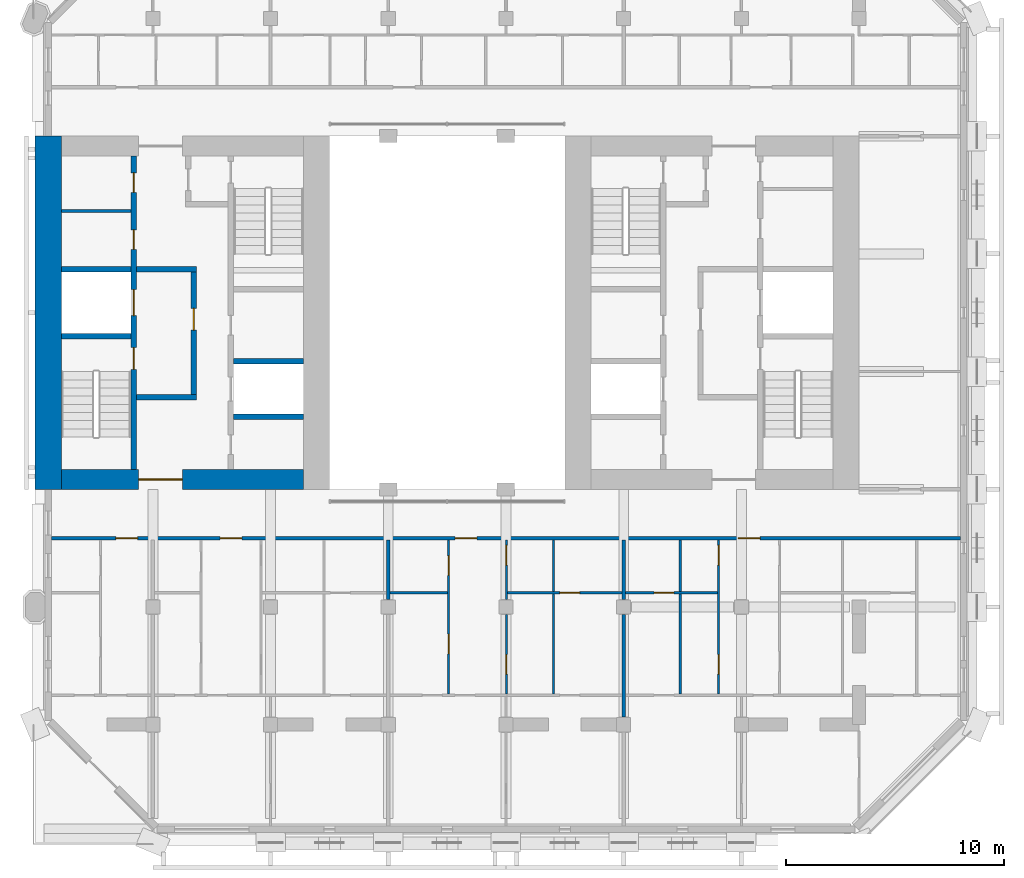
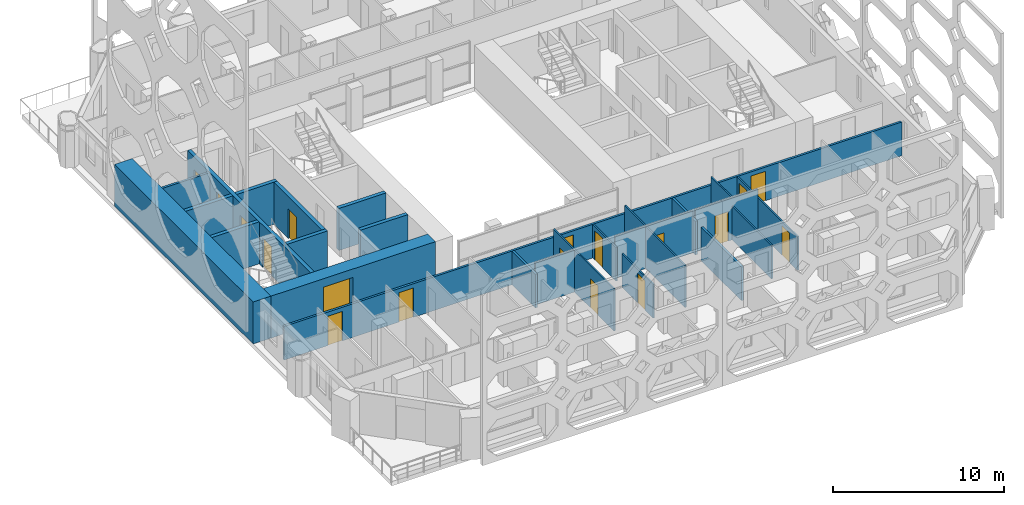
# One storey, part 7 of 15: 26 walls, 18 doors, 18 openings.
"""IFC4 building model written with IfcOpenShell, lengths in metres."""

import ifcopenshell
import ifcopenshell.guid

model = None  # the IFC model being written
_history = None  # IfcOwnerHistory: only IFC2X3 demands one
_inside = {}  # id of a spatial element -> (the spatial element, [elements in it])
_under = {}  # id of a project, library or spatial element -> (it, [spatial elements below it])
_declared = {}  # id of a project -> (the project, [libraries it declares])
_typed = {}  # id of a type object -> (the type object, [elements of that type])
_made_of = {}  # id of a material, layer set ... -> (it, [elements and type objects made of it])


def new_model(schema):
    """Start an empty IFC model of exactly this schema.

    Asked for "IFC4X3", IfcOpenShell would pick the latest addendum, in which some entities
    have other attributes; the version numbers below select the first issue.
    IFC2X3 requires an IfcOwnerHistory on every rooted entity: one is made here for all.
    """
    global model, _history
    if schema == "IFC4X3":
        model = ifcopenshell.file(schema_version=(4, 3, 0, 0))
    else:
        model = ifcopenshell.file(schema=schema)
    _inside.clear()
    _under.clear()
    _declared.clear()
    _typed.clear()
    _made_of.clear()
    _history = None
    if model.schema == "IFC2X3":
        org = make("IfcOrganization", Name="unknown")
        user = make(
            "IfcPersonAndOrganization",
            ThePerson=make("IfcPerson", FamilyName="unknown"),
            TheOrganization=org,
        )
        app = make(
            "IfcApplication",
            ApplicationDeveloper=org,
            Version="unknown",
            ApplicationFullName="unknown",
            ApplicationIdentifier="unknown",
        )
        _history = make(
            "IfcOwnerHistory",
            OwningUser=user,
            OwningApplication=app,
            ChangeAction="ADDED",
            CreationDate=0,
        )
    return model


def make(cls, **values):
    """One entity of the class cls with the attributes given. An attribute that is None is left unset."""
    return model.create_entity(
        cls, **{name: value for name, value in values.items() if value is not None}
    )


def rooted(cls, **values):
    """An entity with a GlobalId (a new one), such as an element, a storey or a relation."""
    return make(cls, GlobalId=ifcopenshell.guid.new(), OwnerHistory=_history, **values)


def si_unit(unit_type, name, prefix=None):
    """IfcSIUnit, for example si_unit("LENGTHUNIT", "METRE", prefix="MILLI")."""
    return make("IfcSIUnit", UnitType=unit_type, Prefix=prefix, Name=name)


def assignment(units):
    """IfcUnitAssignment: the units of a project."""
    return None if units is None else make("IfcUnitAssignment", Units=units)


def point(xyz):
    """IfcCartesianPoint."""
    return None if xyz is None else make("IfcCartesianPoint", Coordinates=xyz)


def direction(xyz):
    """IfcDirection."""
    return None if xyz is None else make("IfcDirection", DirectionRatios=xyz)


def frame(location, z_axis=None, x_axis=None):
    """IfcAxis2Placement3D, a coordinate frame: its origin and axes. An axis left out is left unset."""
    return make(
        "IfcAxis2Placement3D",
        Location=point(location),
        Axis=direction(z_axis),
        RefDirection=direction(x_axis),
    )


def frame_2d(location, x_axis=None):
    """IfcAxis2Placement2D, a coordinate frame in the plane: its origin and x axis."""
    return make(
        "IfcAxis2Placement2D", Location=point(location), RefDirection=direction(x_axis)
    )


def origin():
    """The frame at (0, 0, 0) with its axes left unset."""
    return frame((0.0, 0.0, 0.0))


def place(relative_to, where):
    """IfcLocalPlacement: puts the frame where relative to a parent placement (None: the world)."""
    return make(
        "IfcLocalPlacement", PlacementRelTo=relative_to, RelativePlacement=where
    )


def context(
    kind, dimensions, precision=None, world=None, true_north=None, identifier=None
):
    """IfcGeometricRepresentationContext, for example the 3D "Model" context."""
    return make(
        "IfcGeometricRepresentationContext",
        ContextIdentifier=identifier,
        ContextType=kind,
        CoordinateSpaceDimension=dimensions,
        Precision=precision,
        WorldCoordinateSystem=world,
        TrueNorth=true_north,
    )


def subcontext(parent, identifier, kind, view, scale=None):
    """IfcGeometricRepresentationSubContext, for example "Body" below "Model"."""
    return make(
        "IfcGeometricRepresentationSubContext",
        ContextIdentifier=identifier,
        ContextType=kind,
        ParentContext=parent,
        TargetScale=scale,
        TargetView=view,
    )


def project(units=None, contexts=None):
    """IfcProject with its units and contexts."""
    return rooted(
        "IfcProject",
        Name="project",
        RepresentationContexts=contexts,
        UnitsInContext=assignment(units),
    )


def spatial(cls, under=None, at=None, **own):
    """A site, building, storey or space (cls), placed at a placement, below another one or the project."""
    s = rooted(cls, ObjectPlacement=at, **own)
    if under is not None:
        _under.setdefault(under.id(), (under, []))[1].append(s)
    return s


def profile(cls, at=None, kind="AREA", **sizes):
    """A parametric profile (cls). Its sizes go by their IFC names, for example OverallWidth=200.0."""
    return make(cls, ProfileType=kind, Position=at, **sizes)


def rectangle(**sizes):
    """IfcRectangleProfileDef."""
    return profile("IfcRectangleProfileDef", **sizes)


def extrude(swept, where, along, depth):
    """IfcExtrudedAreaSolid: the profile swept, set in the frame where, extruded along a direction by depth."""
    return make(
        "IfcExtrudedAreaSolid",
        SweptArea=swept,
        Position=where,
        ExtrudedDirection=direction(along),
        Depth=depth,
    )


def shape(context_of_items, identifier, shape_type, items):
    """IfcShapeRepresentation: the items that make up one representation, for example the "Body"."""
    return make(
        "IfcShapeRepresentation",
        ContextOfItems=context_of_items,
        RepresentationIdentifier=identifier,
        RepresentationType=shape_type,
        Items=items,
    )


def material(Name=None, Category=None):
    """IfcMaterial."""
    return make("IfcMaterial", Name=Name, Category=Category)


def layer(
    of_material, thickness, ventilated=None, Name=None, Category=None, Priority=None
):
    """IfcMaterialLayer: one layer of a wall or slab, of a material (None: an air gap)."""
    return make(
        "IfcMaterialLayer",
        Material=of_material,
        LayerThickness=thickness,
        IsVentilated=ventilated,
        Name=Name,
        Category=Category,
        Priority=Priority,
    )


def layer_set(layers, Name=None):
    """IfcMaterialLayerSet."""
    return make("IfcMaterialLayerSet", MaterialLayers=layers, LayerSetName=Name)


def made_of(thing, what):
    """Note that an element or type object is made of a material, layer set ...; save() writes the relation."""
    if what is not None:
        _made_of.setdefault(what.id(), (what, []))[1].append(thing)
    return thing


def type_object(cls, material=None, **own):
    """A type object (cls), such as IfcWallType, which elements share."""
    return made_of(rooted(cls, **own), material)


def element(
    cls,
    number,
    at=None,
    inside=None,
    cuts=None,
    type_object=None,
    material=None,
    context=None,
    identifier="Body",
    shape_type=None,
    held_by="IfcProductDefinitionShape",
    body=None,
    shapes=None,
    **own,
):
    """One element of the class cls, such as IfcWall. Its Tag is "e" and its number.

    at: its placement. inside: the storey or other place that contains it. cuts: it is an
    opening in that element (IfcRelVoidsElement). A single representation is given by context,
    identifier, shape_type and body (its items); several are given by shapes. held_by: the class
    of the entity that holds the representations. save() writes the other relations.
    """
    e = rooted(cls, Tag="e%d" % number, ObjectPlacement=at, **own)
    if body is not None:
        shapes = [shape(context, identifier, shape_type, body)]
    if shapes is not None:
        e.Representation = make(held_by, Representations=shapes)
    if inside is not None:
        _inside.setdefault(inside.id(), (inside, []))[1].append(e)
    if cuts is not None:
        rooted(
            "IfcRelVoidsElement", RelatingBuildingElement=cuts, RelatedOpeningElement=e
        )
    if type_object is not None:
        _typed.setdefault(type_object.id(), (type_object, []))[1].append(e)
    return made_of(e, material)


def fill(opening, filler):
    """IfcRelFillsElement: the door or window that sits in an opening."""
    return rooted(
        "IfcRelFillsElement",
        RelatingOpeningElement=opening,
        RelatedBuildingElement=filler,
    )


def aggregate(whole, parts):
    """IfcRelAggregates: a whole, such as a stair, and the parts it consists of."""
    return rooted("IfcRelAggregates", RelatingObject=whole, RelatedObjects=parts)


def save(model, path):
    """Write the relations noted so far, then the file.

    IfcRelAggregates (storeys below a building ...), IfcRelContainedInSpatialStructure (elements
    in a storey), IfcRelDefinesByType, IfcRelAssociatesMaterial and IfcRelDeclares: one each for
    every whole, place, type object, material and project.
    """
    for whole, parts in _under.values():
        aggregate(whole, parts)
    for where, things in _inside.values():
        rooted(
            "IfcRelContainedInSpatialStructure",
            RelatedElements=things,
            RelatingStructure=where,
        )
    for kind, things in _typed.values():
        rooted("IfcRelDefinesByType", RelatedObjects=things, RelatingType=kind)
    for what, things in _made_of.values():
        rooted("IfcRelAssociatesMaterial", RelatedObjects=things, RelatingMaterial=what)
    for by, libraries in _declared.values():
        rooted("IfcRelDeclares", RelatingContext=by, RelatedDefinitions=libraries)
    model.write(path)


model = new_model("IFC4")

# Units and contexts
model_context = context("Model", 3, precision=1e-05, world=origin(), true_north=direction((0.0, 1.0)))
body_context = subcontext(model_context, "Body", "Model", "MODEL_VIEW")
ifc_project = project(units=[si_unit("LENGTHUNIT", "METRE"), si_unit("AREAUNIT", "SQUARE_METRE"), si_unit("VOLUMEUNIT", "CUBIC_METRE"), si_unit("PLANEANGLEUNIT", "RADIAN"), si_unit("MASSUNIT", "GRAM", prefix="KILO")], contexts=[model_context])

# Site, building, storey
site_placement = place(None, origin())
site = spatial("IfcSite", under=ifc_project, at=site_placement, CompositionType="ELEMENT")
building_placement = place(site_placement, origin())
building = spatial("IfcBuilding", under=site, at=building_placement, Name="Tabaq Tower and Sports Hall", CompositionType="ELEMENT")
storey_placement = place(building_placement, frame((0.0, 0.0, 265.300048828125)))
storey = spatial("IfcBuildingStorey", under=building, at=storey_placement, Name="L64", CompositionType="ELEMENT", Elevation=265.300048828125)

# Walls
ifc_material_1 = material(Name="Blockwork", Category="masonry")
ifc_layer_1 = layer(ifc_material_1, 0.14990234375)
ifc_layer_set_1 = layer_set([ifc_layer_1], Name="Core room partition 150 Blockwork")
wall_type_1 = type_object("IfcWallType", Name="Core room partition 150 Blockwork", PredefinedType="PARTITIONING", material=ifc_layer_set_1)
wall_1_placement = place(storey_placement, frame((6.60009765625, 28.962890625, 0.0), z_axis=(0.0, 0.0, 1.0), x_axis=(1.0, 0.0, 0.0)))
element("IfcWall", 1, at=wall_1_placement, inside=storey, type_object=wall_type_1, Name="Core room partition W L64", PredefinedType="PARTITIONING", context=body_context, shape_type="SweptSolid", body=[
    extrude(rectangle(XDim=3.199951171875, YDim=0.14990234375, at=frame_2d((1.60009765625, 0.0))), origin(), (0.0, 0.0, 1.0), 3.0),
])
ifc_material_2 = material(Name="Concrete C40/50", Category="concrete")
ifc_layer_2 = layer(ifc_material_2, 1.199951171875)
ifc_layer_set_2 = layer_set([ifc_layer_2], Name="Core wall 1200 Concrete C40/50")
wall_type_2 = type_object("IfcWallType", Name="Core wall 1200 Concrete C40/50", PredefinedType="SOLIDWALL", material=ifc_layer_set_2)
wall_2_placement = place(storey_placement, frame((6.0, 16.199951171875, 0.0), z_axis=(0.0, 0.0, 1.0), x_axis=(0.0, 1.0, 0.0)))
element("IfcWall", 2, at=wall_2_placement, inside=storey, type_object=wall_type_2, Name="Core wall W L64", PredefinedType="SOLIDWALL", context=body_context, shape_type="SweptSolid", body=[
    extrude(rectangle(XDim=16.199951171875, YDim=1.199951171875, at=frame_2d((8.10009765625, 0.0))), origin(), (0.0, 0.0, 1.0), 3.0),
])

# Wall, opening, door
ifc_material_3 = material(Name="Concrete C40/50", Category="concrete")
ifc_layer_3 = layer(ifc_material_3, 0.89990234375)
ifc_layer_set_3 = layer_set([ifc_layer_3], Name="Core wall 900 Concrete C40/50")
wall_type_3 = type_object("IfcWallType", Name="Core wall 900 Concrete C40/50", PredefinedType="SOLIDWALL", material=ifc_layer_set_3)
wall_3_placement = place(storey_placement, frame((17.699951171875, 16.64990234375, 0.0), z_axis=(0.0, 0.0, 1.0), x_axis=(-1.0, 0.0, 0.0)))
wall_3 = element("IfcWall", 3, at=wall_3_placement, inside=storey, type_object=wall_type_3, Name="Core wall W L64", PredefinedType="SOLIDWALL", context=body_context, shape_type="SweptSolid", body=[
    extrude(rectangle(XDim=11.099853515625, YDim=0.89990234375, at=frame_2d((5.5498046875, 0.0))), origin(), (0.0, 0.0, 1.0), 3.0),
])
opening_1_placement = place(wall_3_placement, frame((5.550048828125, 0.0, 0.0)))
opening_1 = element("IfcOpeningElement", 4, at=opening_1_placement, cuts=wall_3, Name="Opening PD-WL64-01", PredefinedType="OPENING", context=body_context, shape_type="SweptSolid", body=[
    extrude(rectangle(XDim=2.0, YDim=2.39990234375, at=frame_2d((1.0, 1.199951171875))), frame((0.0, 0.449951171875, 0.0), z_axis=(0.0, -1.0, 0.0), x_axis=(1.0, 0.0, 0.0)), (0.0, 0.0, 1.0), 0.89990234375),
])
ifc_material_4 = material(Name="Steel fire door", Category="steel")
door_type_1 = type_object("IfcDoorType", Name="Core entrance door 2000", OperationType="DOUBLE_DOOR_SINGLE_SWING", PredefinedType="DOOR", material=ifc_material_4)
door_1_placement = place(opening_1_placement, origin())
door_1 = element("IfcDoor", 5, at=door_1_placement, inside=storey, type_object=door_type_1, Name="Core entrance south W L64", OperationType="DOUBLE_DOOR_SINGLE_SWING", OverallHeight=2.39990234375, OverallWidth=2.0, PredefinedType="DOOR", context=body_context, shape_type="SweptSolid", body=[
    extrude(rectangle(XDim=2.0, YDim=2.39990234375, at=frame_2d((1.0, 1.199951171875))), frame((0.0, 0.02490234375, 0.0), z_axis=(0.0, -1.0, 0.0), x_axis=(1.0, 0.0, 0.0)), (0.0, 0.0, 1.0), 0.050048828125),
])
fill(opening_1, door_1)

# Wall
ifc_material_5 = material(Name="Gypsum board on steel studs", Category="steel")
ifc_layer_4 = layer(ifc_material_5, 0.10009765625)
ifc_layer_set_4 = layer_set([ifc_layer_4], Name="Partition 100 Gypsum board")
wall_type_4 = type_object("IfcWallType", Name="Partition 100 Gypsum board", PredefinedType="PARTITIONING", material=ifc_layer_set_4)
wall_4_placement = place(storey_placement, frame((24.320068359375, 11.449951171875, 0.0), z_axis=(0.0, 0.0, 1.0), x_axis=(-1.0, 0.0, 0.0)))
element("IfcWall", 6, at=wall_4_placement, inside=storey, type_object=wall_type_4, Name="Partition wall L64", PredefinedType="PARTITIONING", context=body_context, shape_type="SweptSolid", body=[
    extrude(rectangle(XDim=2.64501953125, YDim=0.10009765625, at=frame_2d((1.322509765625, 0.0))), origin(), (0.0, 0.0, 1.0), 3.0),
])

# Wall, openings, doors
wall_5_placement = place(storey_placement, frame((24.3701171875, 6.800048828125, 0.0), z_axis=(0.0, 0.0, 1.0), x_axis=(0.0, 1.0, 0.0)))
wall_5 = element("IfcWall", 7, at=wall_5_placement, inside=storey, type_object=wall_type_4, Name="Partition wall L64", PredefinedType="PARTITIONING", context=body_context, shape_type="SweptSolid", body=[
    extrude(rectangle(XDim=7.074951171875, YDim=0.10009765625, at=frame_2d((3.53759765625, 0.0))), origin(), (0.0, 0.0, 1.0), 3.0),
])
opening_2_placement = place(wall_5_placement, frame((5.449951171875, 0.0, 0.0)))
opening_2 = element("IfcOpeningElement", 8, at=opening_2_placement, cuts=wall_5, Name="Opening L64-019", PredefinedType="OPENING", context=body_context, shape_type="SweptSolid", body=[
    extrude(rectangle(XDim=0.89990234375, YDim=2.10009765625, at=frame_2d((0.449951171875, 1.050048828125))), frame((0.0, 0.050048828125, 0.0), z_axis=(0.0, -1.0, 0.0), x_axis=(1.0, 0.0, 0.0)), (0.0, 0.0, 1.0), 0.10009765625),
])
opening_3_placement = place(wall_5_placement, frame((1.85009765625, 0.0, 0.0)))
opening_3 = element("IfcOpeningElement", 9, at=opening_3_placement, cuts=wall_5, Name="Opening L64-044", PredefinedType="OPENING", context=body_context, shape_type="SweptSolid", body=[
    extrude(rectangle(XDim=0.89990234375, YDim=2.10009765625, at=frame_2d((0.449951171875, 1.050048828125))), frame((0.0, 0.050048828125, 0.0), z_axis=(0.0, -1.0, 0.0), x_axis=(1.0, 0.0, 0.0)), (0.0, 0.0, 1.0), 0.10009765625),
])
ifc_material_6 = material(Name="Timber leaf in steel frame", Category="steel")
door_type_2 = type_object("IfcDoorType", Name="Internal door 900 left hand", OperationType="SINGLE_SWING_LEFT", PredefinedType="DOOR", material=ifc_material_6)
door_2_placement = place(opening_3_placement, origin())
door_2 = element("IfcDoor", 10, at=door_2_placement, inside=storey, type_object=door_type_2, Name="Internal door L64-044", OperationType="SINGLE_SWING_LEFT", OverallHeight=2.10009765625, OverallWidth=0.89990234375, PredefinedType="DOOR", context=body_context, shape_type="SweptSolid", body=[
    extrude(rectangle(XDim=0.89990234375, YDim=2.10009765625, at=frame_2d((0.449951171875, 1.050048828125))), frame((0.0, 0.02490234375, 0.0), z_axis=(0.0, -1.0, 0.0), x_axis=(1.0, 0.0, 0.0)), (0.0, 0.0, 1.0), 0.050048828125),
])
fill(opening_3, door_2)
ifc_material_7 = material(Name="Timber leaf in steel frame", Category="steel")
door_type_3 = type_object("IfcDoorType", Name="Internal door 900 right hand", OperationType="SINGLE_SWING_RIGHT", PredefinedType="DOOR", material=ifc_material_7)
door_3_placement = place(opening_2_placement, origin())
door_3 = element("IfcDoor", 11, at=door_3_placement, inside=storey, type_object=door_type_3, Name="Internal door L64-019", OperationType="SINGLE_SWING_RIGHT", OverallHeight=2.10009765625, OverallWidth=0.89990234375, PredefinedType="DOOR", context=body_context, shape_type="SweptSolid", body=[
    extrude(rectangle(XDim=0.89990234375, YDim=2.10009765625, at=frame_2d((0.449951171875, 1.050048828125))), frame((0.0, 0.02490234375, 0.0), z_axis=(0.0, -1.0, 0.0), x_axis=(1.0, 0.0, 0.0)), (0.0, 0.0, 1.0), 0.050048828125),
])
fill(opening_2, door_3)

# Wall, opening, door
wall_6_placement = place(storey_placement, frame((27.02001953125, 6.800048828125, 0.0), z_axis=(0.0, 0.0, 1.0), x_axis=(0.0, 1.0, 0.0)))
wall_6 = element("IfcWall", 12, at=wall_6_placement, inside=storey, type_object=wall_type_4, Name="Partition wall L64", PredefinedType="PARTITIONING", context=body_context, shape_type="SweptSolid", body=[
    extrude(rectangle(XDim=3.655029296875, YDim=0.10009765625, at=frame_2d((1.82763671875, 0.0))), origin(), (0.0, 0.0, 1.0), 2.39990234375),
])
opening_4_placement = place(wall_6_placement, frame((0.9169921875, 0.0, 0.0)))
opening_4 = element("IfcOpeningElement", 13, at=opening_4_placement, cuts=wall_6, Name="Opening L64-020", PredefinedType="OPENING", context=body_context, shape_type="SweptSolid", body=[
    extrude(rectangle(XDim=0.89990234375, YDim=2.10009765625, at=frame_2d((0.449951171875, 1.050048828125))), frame((0.0, 0.050048828125, 0.0), z_axis=(0.0, -1.0, 0.0), x_axis=(1.0, 0.0, 0.0)), (0.0, 0.0, 1.0), 0.10009765625),
])
door_4_placement = place(opening_4_placement, origin())
door_4 = element("IfcDoor", 14, at=door_4_placement, inside=storey, type_object=door_type_2, Name="Internal door L64-020", OperationType="SINGLE_SWING_LEFT", OverallHeight=2.10009765625, OverallWidth=0.89990234375, PredefinedType="DOOR", context=body_context, shape_type="SweptSolid", body=[
    extrude(rectangle(XDim=0.89990234375, YDim=2.10009765625, at=frame_2d((0.449951171875, 1.050048828125))), frame((0.0, 0.02490234375, 0.0), z_axis=(0.0, -1.0, 0.0), x_axis=(1.0, 0.0, 0.0)), (0.0, 0.0, 1.0), 0.050048828125),
])
fill(opening_4, door_4)

wall_7_placement = place(storey_placement, frame((27.02001953125, 11.14501953125, 0.0), z_axis=(0.0, 0.0, 1.0), x_axis=(0.0, 1.0, 0.0)))
wall_7 = element("IfcWall", 15, at=wall_7_placement, inside=storey, type_object=wall_type_4, Name="Partition wall L64", PredefinedType="PARTITIONING", context=body_context, shape_type="SweptSolid", body=[
    extrude(rectangle(XDim=2.72998046875, YDim=0.10009765625, at=frame_2d((1.364990234375, 0.0))), origin(), (0.0, 0.0, 1.0), 2.39990234375),
])
opening_5_placement = place(wall_7_placement, frame((1.580078125, 0.0, 0.0)))
opening_5 = element("IfcOpeningElement", 16, at=opening_5_placement, cuts=wall_7, Name="Opening L64-021", PredefinedType="OPENING", context=body_context, shape_type="SweptSolid", body=[
    extrude(rectangle(XDim=0.89990234375, YDim=2.10009765625, at=frame_2d((0.449951171875, 1.050048828125))), frame((0.0, 0.050048828125, 0.0), z_axis=(0.0, -1.0, 0.0), x_axis=(1.0, 0.0, 0.0)), (0.0, 0.0, 1.0), 0.10009765625),
])
door_5_placement = place(opening_5_placement, origin())
door_5 = element("IfcDoor", 17, at=door_5_placement, inside=storey, type_object=door_type_2, Name="Internal door L64-021", OperationType="SINGLE_SWING_LEFT", OverallHeight=2.10009765625, OverallWidth=0.89990234375, PredefinedType="DOOR", context=body_context, shape_type="SweptSolid", body=[
    extrude(rectangle(XDim=0.89990234375, YDim=2.10009765625, at=frame_2d((0.449951171875, 1.050048828125))), frame((0.0, 0.02490234375, 0.0), z_axis=(0.0, -1.0, 0.0), x_axis=(1.0, 0.0, 0.0)), (0.0, 0.0, 1.0), 0.050048828125),
])
fill(opening_5, door_5)

# Walls
wall_8_placement = place(storey_placement, frame((29.176025390625, 6.800048828125, 0.0), z_axis=(0.0, 0.0, 1.0), x_axis=(0.0, 1.0, 0.0)))
element("IfcWall", 18, at=wall_8_placement, inside=storey, type_object=wall_type_4, Name="Partition wall L64", PredefinedType="PARTITIONING", context=body_context, shape_type="SweptSolid", body=[
    extrude(rectangle(XDim=4.599853515625, YDim=0.10009765625, at=frame_2d((2.2998046875, 0.0))), origin(), (0.0, 0.0, 1.0), 3.0),
])
wall_9_placement = place(storey_placement, frame((29.176025390625, 11.5, 0.0), z_axis=(0.0, 0.0, 1.0), x_axis=(0.0, 1.0, 0.0)))
element("IfcWall", 19, at=wall_9_placement, inside=storey, type_object=wall_type_4, Name="Partition wall L64", PredefinedType="PARTITIONING", context=body_context, shape_type="SweptSolid", body=[
    extrude(rectangle(XDim=2.375, YDim=0.10009765625, at=frame_2d((1.1875, 0.0))), origin(), (0.0, 0.0, 1.0), 3.0),
])

# Wall, opening, door
wall_10_placement = place(storey_placement, frame((32.324951171875, 11.449951171875, 0.0), z_axis=(0.0, 0.0, 1.0), x_axis=(-1.0, 0.0, 0.0)))
wall_10 = element("IfcWall", 20, at=wall_10_placement, inside=storey, type_object=wall_type_4, Name="Partition wall L64", PredefinedType="PARTITIONING", context=body_context, shape_type="SweptSolid", body=[
    extrude(rectangle(XDim=5.2548828125, YDim=0.10009765625, at=frame_2d((2.62744140625, 0.0))), origin(), (0.0, 0.0, 1.0), 3.0),
])
opening_6_placement = place(wall_10_placement, frame((1.948974609375, 0.0, 0.0)))
opening_6 = element("IfcOpeningElement", 21, at=opening_6_placement, cuts=wall_10, Name="Opening L64-022", PredefinedType="OPENING", context=body_context, shape_type="SweptSolid", body=[
    extrude(rectangle(XDim=0.89990234375, YDim=2.10009765625, at=frame_2d((0.449951171875, 1.050048828125))), frame((0.0, 0.050048828125, 0.0), z_axis=(0.0, -1.0, 0.0), x_axis=(1.0, 0.0, 0.0)), (0.0, 0.0, 1.0), 0.10009765625),
])
door_6_placement = place(opening_6_placement, origin())
door_6 = element("IfcDoor", 22, at=door_6_placement, inside=storey, type_object=door_type_2, Name="Internal door L64-022", OperationType="SINGLE_SWING_LEFT", OverallHeight=2.10009765625, OverallWidth=0.89990234375, PredefinedType="DOOR", context=body_context, shape_type="SweptSolid", body=[
    extrude(rectangle(XDim=0.89990234375, YDim=2.10009765625, at=frame_2d((0.449951171875, 1.050048828125))), frame((0.0, 0.02490234375, 0.0), z_axis=(0.0, -1.0, 0.0), x_axis=(1.0, 0.0, 0.0)), (0.0, 0.0, 1.0), 0.050048828125),
])
fill(opening_6, door_6)

# Walls
wall_11_placement = place(storey_placement, frame((35.0, 6.800048828125, 0.0), z_axis=(0.0, 0.0, 1.0), x_axis=(0.0, 1.0, 0.0)))
element("IfcWall", 23, at=wall_11_placement, inside=storey, type_object=wall_type_4, Name="Partition wall L64", PredefinedType="PARTITIONING", context=body_context, shape_type="SweptSolid", body=[
    extrude(rectangle(XDim=4.599853515625, YDim=0.10009765625, at=frame_2d((2.2998046875, 0.0))), origin(), (0.0, 0.0, 1.0), 2.39990234375),
])
wall_12_placement = place(storey_placement, frame((35.0, 11.5, 0.0), z_axis=(0.0, 0.0, 1.0), x_axis=(0.0, 1.0, 0.0)))
element("IfcWall", 24, at=wall_12_placement, inside=storey, type_object=wall_type_4, Name="Partition wall L64", PredefinedType="PARTITIONING", context=body_context, shape_type="SweptSolid", body=[
    extrude(rectangle(XDim=2.375, YDim=0.10009765625, at=frame_2d((1.1875, 0.0))), origin(), (0.0, 0.0, 1.0), 3.0),
])

# Wall, opening, door
wall_13_placement = place(storey_placement, frame((36.7060546875, 11.449951171875, 0.0), z_axis=(0.0, 0.0, 1.0), x_axis=(-1.0, 0.0, 0.0)))
wall_13 = element("IfcWall", 25, at=wall_13_placement, inside=storey, type_object=wall_type_4, Name="Partition wall L64", PredefinedType="PARTITIONING", context=body_context, shape_type="SweptSolid", body=[
    extrude(rectangle(XDim=4.23095703125, YDim=0.10009765625, at=frame_2d((2.115478515625, 0.0))), origin(), (0.0, 0.0, 1.0), 3.0),
])
opening_7_placement = place(wall_13_placement, frame((2.006103515625, 0.0, 0.0)))
opening_7 = element("IfcOpeningElement", 26, at=opening_7_placement, cuts=wall_13, Name="Opening L64-024", PredefinedType="OPENING", context=body_context, shape_type="SweptSolid", body=[
    extrude(rectangle(XDim=0.89990234375, YDim=2.10009765625, at=frame_2d((0.449951171875, 1.050048828125))), frame((0.0, 0.050048828125, 0.0), z_axis=(0.0, -1.0, 0.0), x_axis=(1.0, 0.0, 0.0)), (0.0, 0.0, 1.0), 0.10009765625),
])
door_7_placement = place(opening_7_placement, origin())
door_7 = element("IfcDoor", 27, at=door_7_placement, inside=storey, type_object=door_type_2, Name="Internal door L64-024", OperationType="SINGLE_SWING_LEFT", OverallHeight=2.10009765625, OverallWidth=0.89990234375, PredefinedType="DOOR", context=body_context, shape_type="SweptSolid", body=[
    extrude(rectangle(XDim=0.89990234375, YDim=2.10009765625, at=frame_2d((0.449951171875, 1.050048828125))), frame((0.0, 0.02490234375, 0.0), z_axis=(0.0, -1.0, 0.0), x_axis=(1.0, 0.0, 0.0)), (0.0, 0.0, 1.0), 0.050048828125),
])
fill(opening_7, door_7)

# Wall, openings, doors
wall_14_placement = place(storey_placement, frame((36.756103515625, 6.800048828125, 0.0), z_axis=(0.0, 0.0, 1.0), x_axis=(0.0, 1.0, 0.0)))
wall_14 = element("IfcWall", 28, at=wall_14_placement, inside=storey, type_object=wall_type_4, Name="Partition wall L64", PredefinedType="PARTITIONING", context=body_context, shape_type="SweptSolid", body=[
    extrude(rectangle(XDim=7.074951171875, YDim=0.10009765625, at=frame_2d((3.53759765625, 0.0))), origin(), (0.0, 0.0, 1.0), 2.39990234375),
])
opening_8_placement = place(wall_14_placement, frame((0.9169921875, 0.0, 0.0)))
opening_8 = element("IfcOpeningElement", 29, at=opening_8_placement, cuts=wall_14, Name="Opening L64-025", PredefinedType="OPENING", context=body_context, shape_type="SweptSolid", body=[
    extrude(rectangle(XDim=0.89990234375, YDim=2.10009765625, at=frame_2d((0.449951171875, 1.050048828125))), frame((0.0, 0.050048828125, 0.0), z_axis=(0.0, -1.0, 0.0), x_axis=(1.0, 0.0, 0.0)), (0.0, 0.0, 1.0), 0.10009765625),
])
opening_9_placement = place(wall_14_placement, frame((5.925048828125, 0.0, 0.0)))
opening_9 = element("IfcOpeningElement", 30, at=opening_9_placement, cuts=wall_14, Name="Opening L64-026", PredefinedType="OPENING", context=body_context, shape_type="SweptSolid", body=[
    extrude(rectangle(XDim=0.89990234375, YDim=2.10009765625, at=frame_2d((0.449951171875, 1.050048828125))), frame((0.0, 0.050048828125, 0.0), z_axis=(0.0, -1.0, 0.0), x_axis=(1.0, 0.0, 0.0)), (0.0, 0.0, 1.0), 0.10009765625),
])
door_8_placement = place(opening_9_placement, origin())
door_8 = element("IfcDoor", 31, at=door_8_placement, inside=storey, type_object=door_type_2, Name="Internal door L64-026", OperationType="SINGLE_SWING_LEFT", OverallHeight=2.10009765625, OverallWidth=0.89990234375, PredefinedType="DOOR", context=body_context, shape_type="SweptSolid", body=[
    extrude(rectangle(XDim=0.89990234375, YDim=2.10009765625, at=frame_2d((0.449951171875, 1.050048828125))), frame((0.0, 0.02490234375, 0.0), z_axis=(0.0, -1.0, 0.0), x_axis=(1.0, 0.0, 0.0)), (0.0, 0.0, 1.0), 0.050048828125),
])
fill(opening_9, door_8)
door_9_placement = place(opening_8_placement, origin())
door_9 = element("IfcDoor", 32, at=door_9_placement, inside=storey, type_object=door_type_3, Name="Internal door L64-025", OperationType="SINGLE_SWING_RIGHT", OverallHeight=2.10009765625, OverallWidth=0.89990234375, PredefinedType="DOOR", context=body_context, shape_type="SweptSolid", body=[
    extrude(rectangle(XDim=0.89990234375, YDim=2.10009765625, at=frame_2d((0.449951171875, 1.050048828125))), frame((0.0, 0.02490234375, 0.0), z_axis=(0.0, -1.0, 0.0), x_axis=(1.0, 0.0, 0.0)), (0.0, 0.0, 1.0), 0.050048828125),
])
fill(opening_8, door_9)

# Walls
ifc_material_8 = material(Name="Blockwork", Category="masonry")
ifc_layer_5 = layer(ifc_material_8, 0.14990234375)
ifc_layer_set_5 = layer_set([ifc_layer_5], Name="Separating wall 150 Blockwork")
wall_type_5 = type_object("IfcWallType", Name="Separating wall 150 Blockwork", PredefinedType="PARTITIONING", material=ifc_layer_set_5)
wall_15_placement = place(storey_placement, frame((21.60009765625, 11.14501953125, 0.0), z_axis=(0.0, 0.0, 1.0), x_axis=(0.0, 1.0, 0.0)))
element("IfcWall", 33, at=wall_15_placement, inside=storey, type_object=wall_type_5, Name="Separating wall L64", PredefinedType="PARTITIONING", context=body_context, shape_type="SweptSolid", body=[
    extrude(rectangle(XDim=2.72998046875, YDim=0.14990234375, at=frame_2d((1.364990234375, 0.0))), origin(), (0.0, 0.0, 1.0), 2.39990234375),
])
wall_16_placement = place(storey_placement, frame((32.39990234375, 5.7451171875, 0.0), z_axis=(0.0, 0.0, 1.0), x_axis=(0.0, 1.0, 0.0)))
element("IfcWall", 34, at=wall_16_placement, inside=storey, type_object=wall_type_5, Name="Separating wall L64", PredefinedType="PARTITIONING", context=body_context, shape_type="SweptSolid", body=[
    extrude(rectangle(XDim=4.7099609375, YDim=0.14990234375, at=frame_2d((2.35498046875, 0.0))), origin(), (0.0, 0.0, 1.0), 2.39990234375),
])
wall_17_placement = place(storey_placement, frame((32.39990234375, 11.14501953125, 0.0), z_axis=(0.0, 0.0, 1.0), x_axis=(0.0, 1.0, 0.0)))
element("IfcWall", 35, at=wall_17_placement, inside=storey, type_object=wall_type_5, Name="Separating wall L64", PredefinedType="PARTITIONING", context=body_context, shape_type="SweptSolid", body=[
    extrude(rectangle(XDim=2.72998046875, YDim=0.14990234375, at=frame_2d((1.364990234375, 0.0))), origin(), (0.0, 0.0, 1.0), 2.39990234375),
])

# Wall, openings, doors
wall_18_placement = place(storey_placement, frame((47.84912109375, 13.949951171875, 0.0), z_axis=(0.0, 0.0, 1.0), x_axis=(-1.0, 0.0, 0.0)))
wall_18 = element("IfcWall", 36, at=wall_18_placement, inside=storey, type_object=wall_type_5, Name="Separating wall L64", PredefinedType="PARTITIONING", context=body_context, shape_type="SweptSolid", body=[
    extrude(rectangle(XDim=41.6982421875, YDim=0.14990234375, at=frame_2d((20.84912109375, 0.0))), origin(), (0.0, 0.0, 1.0), 2.39990234375),
])
opening_10_placement = place(wall_18_placement, frame((37.7490234375, 0.0, 0.0)))
opening_10 = element("IfcOpeningElement", 37, at=opening_10_placement, cuts=wall_18, Name="Opening L64-062", PredefinedType="OPENING", context=body_context, shape_type="SweptSolid", body=[
    extrude(rectangle(XDim=1.0, YDim=2.10009765625, at=frame_2d((0.5, 1.050048828125))), frame((0.0, 0.074951171875, 0.0), z_axis=(0.0, -1.0, 0.0), x_axis=(1.0, 0.0, 0.0)), (0.0, 0.0, 1.0), 0.14990234375),
])
opening_11_placement = place(wall_18_placement, frame((32.9619140625, 0.0, 0.0)))
opening_11 = element("IfcOpeningElement", 38, at=opening_11_placement, cuts=wall_18, Name="Opening L64-063", PredefinedType="OPENING", context=body_context, shape_type="SweptSolid", body=[
    extrude(rectangle(XDim=1.0, YDim=2.10009765625, at=frame_2d((0.5, 1.050048828125))), frame((0.0, 0.074951171875, 0.0), z_axis=(0.0, -1.0, 0.0), x_axis=(1.0, 0.0, 0.0)), (0.0, 0.0, 1.0), 0.14990234375),
])
opening_12_placement = place(wall_18_placement, frame((22.178955078125, 0.0, 0.0)))
opening_12 = element("IfcOpeningElement", 39, at=opening_12_placement, cuts=wall_18, Name="Opening L64-064", PredefinedType="OPENING", context=body_context, shape_type="SweptSolid", body=[
    extrude(rectangle(XDim=1.0, YDim=2.10009765625, at=frame_2d((0.5, 1.050048828125))), frame((0.0, 0.074951171875, 0.0), z_axis=(0.0, -1.0, 0.0), x_axis=(1.0, 0.0, 0.0)), (0.0, 0.0, 1.0), 0.14990234375),
])
opening_13_placement = place(wall_18_placement, frame((9.193115234375, 0.0, 0.0)))
opening_13 = element("IfcOpeningElement", 40, at=opening_13_placement, cuts=wall_18, Name="Opening L64-065", PredefinedType="OPENING", context=body_context, shape_type="SweptSolid", body=[
    extrude(rectangle(XDim=1.0, YDim=2.10009765625, at=frame_2d((0.5, 1.050048828125))), frame((0.0, 0.074951171875, 0.0), z_axis=(0.0, -1.0, 0.0), x_axis=(1.0, 0.0, 0.0)), (0.0, 0.0, 1.0), 0.14990234375),
])
ifc_material_9 = material(Name="Steel fire door", Category="steel")
door_type_4 = type_object("IfcDoorType", Name="Entrance door 1000 left hand", OperationType="SINGLE_SWING_LEFT", PredefinedType="DOOR", material=ifc_material_9)
door_10_placement = place(opening_10_placement, origin())
door_10 = element("IfcDoor", 41, at=door_10_placement, inside=storey, type_object=door_type_4, Name="Entrance door L64-062", OperationType="SINGLE_SWING_LEFT", OverallHeight=2.10009765625, OverallWidth=1.0, PredefinedType="DOOR", context=body_context, shape_type="SweptSolid", body=[
    extrude(rectangle(XDim=1.0, YDim=2.10009765625, at=frame_2d((0.5, 1.050048828125))), frame((0.0, 0.02490234375, 0.0), z_axis=(0.0, -1.0, 0.0), x_axis=(1.0, 0.0, 0.0)), (0.0, 0.0, 1.0), 0.050048828125),
])
fill(opening_10, door_10)
door_11_placement = place(opening_11_placement, origin())
door_11 = element("IfcDoor", 42, at=door_11_placement, inside=storey, type_object=door_type_4, Name="Entrance door L64-063", OperationType="SINGLE_SWING_LEFT", OverallHeight=2.10009765625, OverallWidth=1.0, PredefinedType="DOOR", context=body_context, shape_type="SweptSolid", body=[
    extrude(rectangle(XDim=1.0, YDim=2.10009765625, at=frame_2d((0.5, 1.050048828125))), frame((0.0, 0.02490234375, 0.0), z_axis=(0.0, -1.0, 0.0), x_axis=(1.0, 0.0, 0.0)), (0.0, 0.0, 1.0), 0.050048828125),
])
fill(opening_11, door_11)
door_12_placement = place(opening_13_placement, origin())
door_12 = element("IfcDoor", 43, at=door_12_placement, inside=storey, type_object=door_type_4, Name="Entrance door L64-065", OperationType="SINGLE_SWING_LEFT", OverallHeight=2.10009765625, OverallWidth=1.0, PredefinedType="DOOR", context=body_context, shape_type="SweptSolid", body=[
    extrude(rectangle(XDim=1.0, YDim=2.10009765625, at=frame_2d((0.5, 1.050048828125))), frame((0.0, 0.02490234375, 0.0), z_axis=(0.0, -1.0, 0.0), x_axis=(1.0, 0.0, 0.0)), (0.0, 0.0, 1.0), 0.050048828125),
])
fill(opening_13, door_12)
ifc_material_10 = material(Name="Steel fire door", Category="steel")
door_type_5 = type_object("IfcDoorType", Name="Entrance door 1000 right hand", OperationType="SINGLE_SWING_RIGHT", PredefinedType="DOOR", material=ifc_material_10)
door_13_placement = place(opening_12_placement, origin())
door_13 = element("IfcDoor", 44, at=door_13_placement, inside=storey, type_object=door_type_5, Name="Entrance door L64-064", OperationType="SINGLE_SWING_RIGHT", OverallHeight=2.10009765625, OverallWidth=1.0, PredefinedType="DOOR", context=body_context, shape_type="SweptSolid", body=[
    extrude(rectangle(XDim=1.0, YDim=2.10009765625, at=frame_2d((0.5, 1.050048828125))), frame((0.0, 0.02490234375, 0.0), z_axis=(0.0, -1.0, 0.0), x_axis=(1.0, 0.0, 0.0)), (0.0, 0.0, 1.0), 0.050048828125),
])
fill(opening_12, door_13)

ifc_material_11 = material(Name="Concrete C40/50", Category="concrete")
ifc_layer_6 = layer(ifc_material_11, 0.25)
ifc_layer_set_6 = layer_set([ifc_layer_6], Name="Shaft and stair wall 250 Concrete C40/50")
wall_type_6 = type_object("IfcWallType", Name="Shaft and stair wall 250 Concrete C40/50", PredefinedType="SOLIDWALL", material=ifc_layer_set_6)
wall_19_placement = place(storey_placement, frame((9.925048828125, 17.10009765625, 0.0), z_axis=(0.0, 0.0, 1.0), x_axis=(0.0, 1.0, 0.0)))
wall_19 = element("IfcWall", 45, at=wall_19_placement, inside=storey, type_object=wall_type_6, Name="Shaft wall W L64", PredefinedType="SOLIDWALL", context=body_context, shape_type="SweptSolid", body=[
    extrude(rectangle(XDim=14.39990234375, YDim=0.25, at=frame_2d((7.199951171875, 0.0))), origin(), (0.0, 0.0, 1.0), 3.0),
])
opening_14_placement = place(wall_19_placement, frame((4.60009765625, 0.0, 0.0)))
opening_14 = element("IfcOpeningElement", 46, at=opening_14_placement, cuts=wall_19, Name="Opening SD-WL64-03", PredefinedType="OPENING", context=body_context, shape_type="SweptSolid", body=[
    extrude(rectangle(XDim=1.0, YDim=2.10009765625, at=frame_2d((0.5, 1.050048828125))), frame((0.0, 0.125, 0.0), z_axis=(0.0, -1.0, 0.0), x_axis=(1.0, 0.0, 0.0)), (0.0, 0.0, 1.0), 0.25),
])
opening_15_placement = place(wall_19_placement, frame((7.0625, 0.0, 0.0)))
opening_15 = element("IfcOpeningElement", 47, at=opening_15_placement, cuts=wall_19, Name="Opening LD-FF1-L64", PredefinedType="OPENING", context=body_context, shape_type="SweptSolid", body=[
    extrude(rectangle(XDim=1.199951171875, YDim=2.10009765625, at=frame_2d((0.60009765625, 1.050048828125))), frame((0.0, 0.125, 0.0), z_axis=(0.0, -1.0, 0.0), x_axis=(1.0, 0.0, 0.0)), (0.0, 0.0, 1.0), 0.25),
])
opening_16_placement = place(wall_19_placement, frame((10.1064453125, 0.0, 0.0)))
opening_16 = element("IfcOpeningElement", 48, at=opening_16_placement, cuts=wall_19, Name="Opening RD-WL64-09", PredefinedType="OPENING", context=body_context, shape_type="SweptSolid", body=[
    extrude(rectangle(XDim=0.89990234375, YDim=2.10009765625, at=frame_2d((0.449951171875, 1.050048828125))), frame((0.0, 0.125, 0.0), z_axis=(0.0, -1.0, 0.0), x_axis=(1.0, 0.0, 0.0)), (0.0, 0.0, 1.0), 0.25),
])
opening_17_placement = place(wall_19_placement, frame((12.718994140625, 0.0, 0.0)))
opening_17 = element("IfcOpeningElement", 49, at=opening_17_placement, cuts=wall_19, Name="Opening RD-WL64-10", PredefinedType="OPENING", context=body_context, shape_type="SweptSolid", body=[
    extrude(rectangle(XDim=0.89990234375, YDim=2.10009765625, at=frame_2d((0.449951171875, 1.050048828125))), frame((0.0, 0.125, 0.0), z_axis=(0.0, -1.0, 0.0), x_axis=(1.0, 0.0, 0.0)), (0.0, 0.0, 1.0), 0.25),
])
ifc_material_12 = material(Name="Steel fire door", Category="steel")
door_type_6 = type_object("IfcDoorType", Name="Core room door 900", OperationType="SINGLE_SWING_LEFT", PredefinedType="DOOR", material=ifc_material_12)
door_14_placement = place(opening_16_placement, origin())
door_14 = element("IfcDoor", 50, at=door_14_placement, inside=storey, type_object=door_type_6, Name="Door Electrical Room W L64", OperationType="SINGLE_SWING_LEFT", OverallHeight=2.10009765625, OverallWidth=0.89990234375, PredefinedType="DOOR", context=body_context, shape_type="SweptSolid", body=[
    extrude(rectangle(XDim=0.89990234375, YDim=2.10009765625, at=frame_2d((0.449951171875, 1.050048828125))), frame((0.0, 0.02490234375, 0.0), z_axis=(0.0, -1.0, 0.0), x_axis=(1.0, 0.0, 0.0)), (0.0, 0.0, 1.0), 0.050048828125),
])
fill(opening_16, door_14)
door_15_placement = place(opening_17_placement, origin())
door_15 = element("IfcDoor", 51, at=door_15_placement, inside=storey, type_object=door_type_6, Name="Door Comms Room W L64", OperationType="SINGLE_SWING_LEFT", OverallHeight=2.10009765625, OverallWidth=0.89990234375, PredefinedType="DOOR", context=body_context, shape_type="SweptSolid", body=[
    extrude(rectangle(XDim=0.89990234375, YDim=2.10009765625, at=frame_2d((0.449951171875, 1.050048828125))), frame((0.0, 0.02490234375, 0.0), z_axis=(0.0, -1.0, 0.0), x_axis=(1.0, 0.0, 0.0)), (0.0, 0.0, 1.0), 0.050048828125),
])
fill(opening_17, door_15)
ifc_material_13 = material(Name="Stainless steel", Category="steel")
door_type_7 = type_object("IfcDoorType", Name="Lift landing door 1200", OperationType="DOUBLE_DOOR_SLIDING", PredefinedType="DOOR", material=ifc_material_13)
door_16_placement = place(opening_15_placement, origin())
door_16 = element("IfcDoor", 52, at=door_16_placement, inside=storey, type_object=door_type_7, Name="Lift landing door FF1 W L64", OperationType="DOUBLE_DOOR_SLIDING", OverallHeight=2.10009765625, OverallWidth=1.199951171875, PredefinedType="DOOR", context=body_context, shape_type="SweptSolid", body=[
    extrude(rectangle(XDim=1.199951171875, YDim=2.10009765625, at=frame_2d((0.60009765625, 1.050048828125))), frame((0.0, 0.02490234375, 0.0), z_axis=(0.0, -1.0, 0.0), x_axis=(1.0, 0.0, 0.0)), (0.0, 0.0, 1.0), 0.050048828125),
])
fill(opening_15, door_16)
ifc_material_14 = material(Name="Steel fire door", Category="steel")
door_type_8 = type_object("IfcDoorType", Name="Stair door 1000", OperationType="SINGLE_SWING_LEFT", PredefinedType="DOOR", material=ifc_material_14)
door_17_placement = place(opening_14_placement, origin())
door_17 = element("IfcDoor", 53, at=door_17_placement, inside=storey, type_object=door_type_8, Name="Stair door ST1 W L64", OperationType="SINGLE_SWING_LEFT", OverallHeight=2.10009765625, OverallWidth=1.0, PredefinedType="DOOR", context=body_context, shape_type="SweptSolid", body=[
    extrude(rectangle(XDim=1.0, YDim=2.10009765625, at=frame_2d((0.5, 1.050048828125))), frame((0.0, 0.02490234375, 0.0), z_axis=(0.0, -1.0, 0.0), x_axis=(1.0, 0.0, 0.0)), (0.0, 0.0, 1.0), 0.050048828125),
])
fill(opening_14, door_17)

# Walls
for number, where, z_axis, x_axis, name in (
    (54, (6.60009765625, 23.22509765625, 0.0), (0.0, 0.0, 1.0), (1.0, 0.0, 0.0), "Stair enclosure wall W L64"),
    (55, (14.5, 22.074951171875, 0.0), (0.0, 0.0, 1.0), (1.0, 0.0, 0.0), "Shaft wall W L64"),
    (56, (6.60009765625, 26.300048828125, 0.0), (0.0, 0.0, 1.0), (1.0, 0.0, 0.0), "Shaft wall W L64"),
):
    element("IfcWall", number, at=place(storey_placement, frame(where, z_axis=z_axis, x_axis=x_axis)), inside=storey, type_object=wall_type_6, Name=name, PredefinedType="SOLIDWALL", context=body_context, shape_type="SweptSolid", body=[
        extrude(rectangle(XDim=3.199951171875, YDim=0.25, at=frame_2d((1.60009765625, 0.0))), origin(), (0.0, 0.0, 1.0), 3.0),
    ])
for number, where, z_axis, x_axis, name in (
    (57, (10.050048828125, 26.300048828125, 0.0), (0.0, 0.0, 1.0), (1.0, 0.0, 0.0), "Fire-fighting lobby wall W L64"),
    (58, (10.050048828125, 20.425048828125, 0.0), (0.0, 0.0, 1.0), (1.0, 0.0, 0.0), "Fire-fighting lobby wall W L64"),
):
    element("IfcWall", number, at=place(storey_placement, frame(where, z_axis=z_axis, x_axis=x_axis)), inside=storey, type_object=wall_type_6, Name=name, PredefinedType="SOLIDWALL", context=body_context, shape_type="SweptSolid", body=[
        extrude(rectangle(XDim=2.75, YDim=0.25, at=frame_2d((1.375, 0.0))), origin(), (0.0, 0.0, 1.0), 3.0),
    ])

# Wall, opening, door
wall_20_placement = place(storey_placement, frame((12.675048828125, 20.550048828125, 0.0), z_axis=(0.0, 0.0, 1.0), x_axis=(0.0, 1.0, 0.0)))
wall_20 = element("IfcWall", 59, at=wall_20_placement, inside=storey, type_object=wall_type_6, Name="Fire-fighting lobby wall W L64", PredefinedType="SOLIDWALL", context=body_context, shape_type="SweptSolid", body=[
    extrude(rectangle(XDim=5.625, YDim=0.25, at=frame_2d((2.8125, 0.0))), origin(), (0.0, 0.0, 1.0), 3.0),
])
opening_18_placement = place(wall_20_placement, frame((2.949951171875, 0.0, 0.0)))
opening_18 = element("IfcOpeningElement", 60, at=opening_18_placement, cuts=wall_20, Name="Opening FD-WL64-04", PredefinedType="OPENING", context=body_context, shape_type="SweptSolid", body=[
    extrude(rectangle(XDim=1.0, YDim=2.10009765625, at=frame_2d((0.5, 1.050048828125))), frame((0.0, 0.125, 0.0), z_axis=(0.0, -1.0, 0.0), x_axis=(1.0, 0.0, 0.0)), (0.0, 0.0, 1.0), 0.25),
])
ifc_material_15 = material(Name="Steel fire door", Category="steel")
door_type_9 = type_object("IfcDoorType", Name="Fire-fighting lobby door 1000", OperationType="SINGLE_SWING_LEFT", PredefinedType="DOOR", material=ifc_material_15)
door_18_placement = place(opening_18_placement, origin())
door_18 = element("IfcDoor", 61, at=door_18_placement, inside=storey, type_object=door_type_9, Name="Fire-fighting lobby door W L64", OperationType="SINGLE_SWING_LEFT", OverallHeight=2.10009765625, OverallWidth=1.0, PredefinedType="DOOR", context=body_context, shape_type="SweptSolid", body=[
    extrude(rectangle(XDim=1.0, YDim=2.10009765625, at=frame_2d((0.5, 1.050048828125))), frame((0.0, 0.02490234375, 0.0), z_axis=(0.0, -1.0, 0.0), x_axis=(1.0, 0.0, 0.0)), (0.0, 0.0, 1.0), 0.050048828125),
])
fill(opening_18, door_18)

# Wall
wall_21_placement = place(storey_placement, frame((14.5, 19.52490234375, 0.0), z_axis=(0.0, 0.0, 1.0), x_axis=(1.0, 0.0, 0.0)))
element("IfcWall", 62, at=wall_21_placement, inside=storey, type_object=wall_type_6, Name="Shaft wall W L64", PredefinedType="SOLIDWALL", context=body_context, shape_type="SweptSolid", body=[
    extrude(rectangle(XDim=3.199951171875, YDim=0.25, at=frame_2d((1.60009765625, 0.0))), origin(), (0.0, 0.0, 1.0), 3.0),
])

save(model, "model.ifc")
